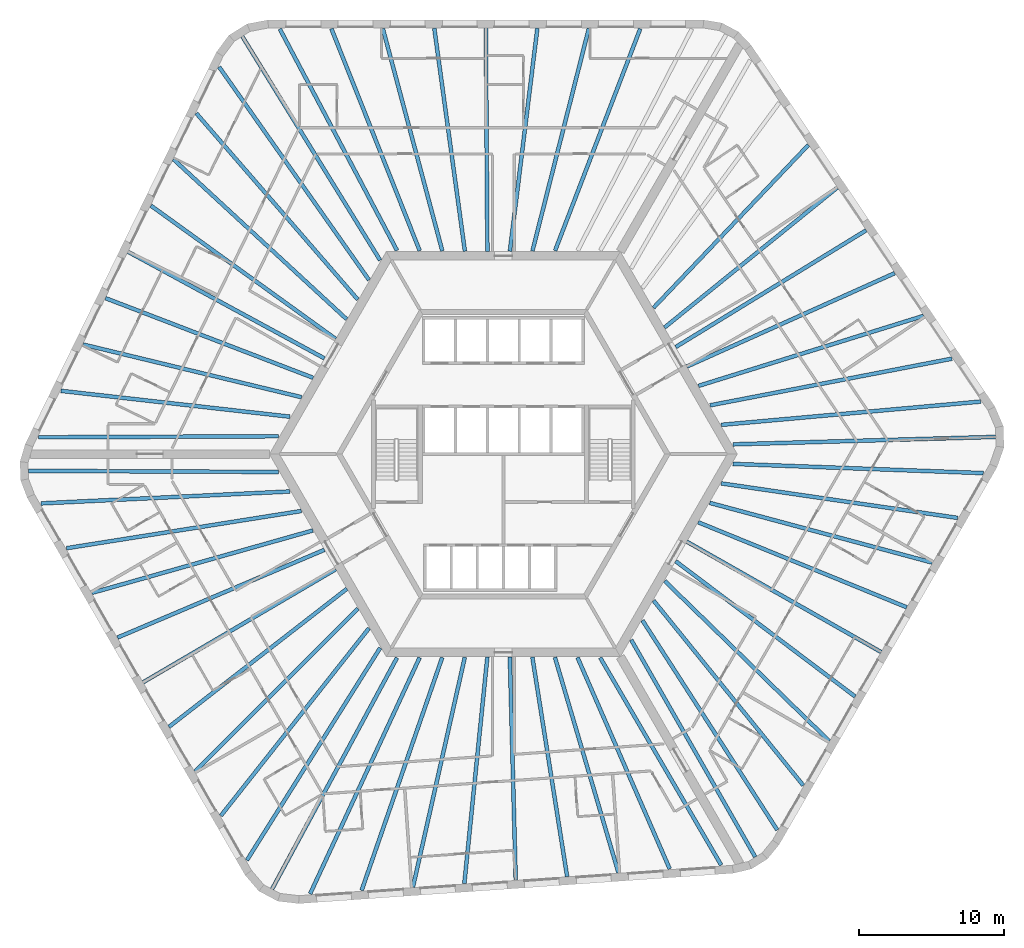
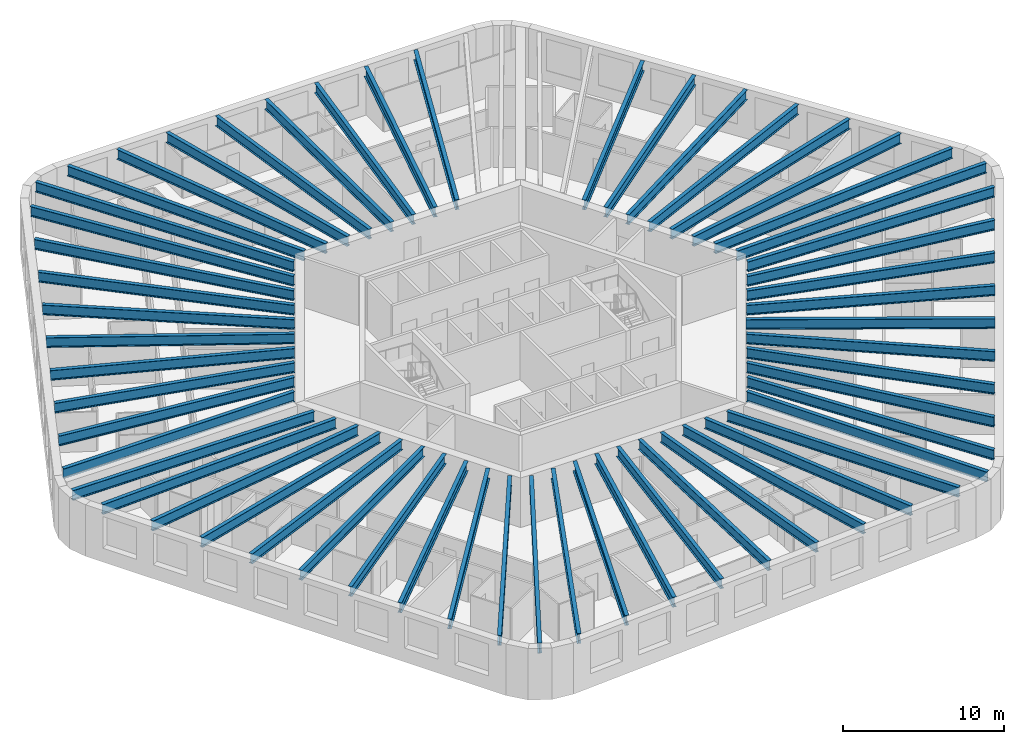
# One storey, part 1 of 12: 56 beams.
"""IFC4 building model written with IfcOpenShell, lengths in metres."""

from ifc_helpers import new_model, si_unit, direction, frame, origin, origin_2d, place, context, subcontext, project, spatial, i_section, extrude, material, material_profile, profile_set, type_object, element, save


model = new_model("IFC4")

# Units and contexts
model_context = context("Model", 3, precision=1e-05, world=origin(), true_north=direction((0.0, 1.0)))
body_context = subcontext(model_context, "Body", "Model", "MODEL_VIEW")
ifc_project = project(units=[si_unit("LENGTHUNIT", "METRE"), si_unit("AREAUNIT", "SQUARE_METRE"), si_unit("VOLUMEUNIT", "CUBIC_METRE"), si_unit("PLANEANGLEUNIT", "RADIAN"), si_unit("MASSUNIT", "GRAM", prefix="KILO")], contexts=[model_context])

# Site, building, storey
site_placement = place(None, origin())
site = spatial("IfcSite", under=ifc_project, at=site_placement, CompositionType="ELEMENT")
building_placement = place(site_placement, origin())
building = spatial("IfcBuilding", under=site, at=building_placement, Name="Tarnside Tower", CompositionType="ELEMENT")
storey_placement = place(building_placement, frame((0.0, 0.0, 57.0)))
storey = spatial("IfcBuildingStorey", under=building, at=storey_placement, Name="L11", CompositionType="ELEMENT", Elevation=57.0)

# Beams
ifc_material = material(Name="Steel S355", Category="steel")
ifc_material_profile_1 = material_profile(ifc_material, i_section(OverallWidth=0.26513671875, OverallDepth=0.75390625, WebThickness=0.0126953125, FlangeThickness=0.017578125, FilletRadius=0.0166015625, at=origin_2d()), Name="UB 762x267x147")
ifc_profile_set_1 = profile_set([ifc_material_profile_1], Name="Steel S355")
beam_type_1 = type_object("IfcBeamType", Name="Floor beam UB 762x267x147", PredefinedType="BEAM", material=ifc_profile_set_1)
beam_1_placement = place(storey_placement, frame((2.3525390625, 29.43017578125, 3.373046875), z_axis=(-0.122329629165, -0.992489527314, 0.0), x_axis=(0.992489527314, -0.122329629165, 0.0)))
element("IfcBeam", 1, at=beam_1_placement, inside=storey, type_object=beam_type_1, Name="Floor beam F1.04", PredefinedType="BEAM", context=body_context, shape_type="SweptSolid", body=[
    extrude(i_section(OverallWidth=0.26513671875, OverallDepth=0.75390625, WebThickness=0.0126953125, FlangeThickness=0.017578125, FilletRadius=0.0166015625, at=origin_2d()), origin(), (0.0, 0.0, 1.0), 15.527099609375),
])
beam_2_placement = place(storey_placement, frame((-1.208984375, 29.449951171875, 3.373046875), z_axis=(0.007000128723, -0.999975498799, 0.0), x_axis=(0.999975498799, 0.007000128723, 0.0)))
element("IfcBeam", 2, at=beam_2_placement, inside=storey, type_object=beam_type_1, Name="Floor beam F1.05", PredefinedType="BEAM", context=body_context, shape_type="SweptSolid", body=[
    extrude(i_section(OverallWidth=0.26513671875, OverallDepth=0.75390625, WebThickness=0.0126953125, FlangeThickness=0.017578125, FilletRadius=0.0166015625, at=origin_2d()), origin(), (0.0, 0.0, 1.0), 15.450439453125),
])
beam_3_placement = place(storey_placement, frame((-4.7705078125, 29.43017578125, 3.373046875), z_axis=(0.136000560933, -0.990708760144, 0.0), x_axis=(0.990708760144, 0.136000560933, 0.0)))
element("IfcBeam", 3, at=beam_3_placement, inside=storey, type_object=beam_type_1, Name="Floor beam F1.06", PredefinedType="BEAM", context=body_context, shape_type="SweptSolid", body=[
    extrude(i_section(OverallWidth=0.26513671875, OverallDepth=0.75390625, WebThickness=0.0126953125, FlangeThickness=0.017578125, FilletRadius=0.0166015625, at=origin_2d()), origin(), (0.0, 0.0, 1.0), 15.554931640625),
])
beam_4_placement = place(storey_placement, frame((-24.348876953125, 17.168212890625, 3.373046875), z_axis=(0.811027744825, -0.585007689799, 0.0), x_axis=(0.585007689799, 0.811027744825, 0.0)))
element("IfcBeam", 4, at=beam_4_placement, inside=storey, type_object=beam_type_1, Name="Floor beam F2.04", PredefinedType="BEAM", context=body_context, shape_type="SweptSolid", body=[
    extrude(i_section(OverallWidth=0.26513671875, OverallDepth=0.75390625, WebThickness=0.0126953125, FlangeThickness=0.017578125, FilletRadius=0.0166015625, at=origin_2d()), origin(), (0.0, 0.0, 1.0), 15.731689453125),
])
beam_5_placement = place(storey_placement, frame((-25.92626953125, 13.978271484375, 3.373046875), z_axis=(0.878894567679, -0.477016078245, 0.0), x_axis=(0.477016078245, 0.878894567679, 0.0)))
element("IfcBeam", 5, at=beam_5_placement, inside=storey, type_object=beam_type_1, Name="Floor beam F2.05", PredefinedType="BEAM", context=body_context, shape_type="SweptSolid", body=[
    extrude(i_section(OverallWidth=0.26513671875, OverallDepth=0.75390625, WebThickness=0.0126953125, FlangeThickness=0.017578125, FilletRadius=0.0166015625, at=origin_2d()), origin(), (0.0, 0.0, 1.0), 15.427490234375),
])
beam_6_placement = place(storey_placement, frame((-27.487548828125, 10.77734375, 3.373046875), z_axis=(0.933617702452, -0.358270827264, 0.0), x_axis=(0.358270827264, 0.933617702452, 0.0)))
element("IfcBeam", 6, at=beam_6_placement, inside=storey, type_object=beam_type_1, Name="Floor beam F2.06", PredefinedType="BEAM", context=body_context, shape_type="SweptSolid", body=[
    extrude(i_section(OverallWidth=0.26513671875, OverallDepth=0.75390625, WebThickness=0.0126953125, FlangeThickness=0.017578125, FilletRadius=0.0166015625, at=origin_2d()), origin(), (0.0, 0.0, 1.0), 15.363037109375),
])
beam_7_placement = place(storey_placement, frame((-29.029296875, 7.572509765625, 3.373046875), z_axis=(0.972101750991, -0.234559556873, 0.0), x_axis=(0.234559556873, 0.972101750991, 0.0)))
element("IfcBeam", 7, at=beam_7_placement, inside=storey, type_object=beam_type_1, Name="Floor beam F2.07", PredefinedType="BEAM", context=body_context, shape_type="SweptSolid", body=[
    extrude(i_section(OverallWidth=0.26513671875, OverallDepth=0.75390625, WebThickness=0.0126953125, FlangeThickness=0.017578125, FilletRadius=0.0166015625, at=origin_2d()), origin(), (0.0, 0.0, 1.0), 15.522216796875),
])
beam_8_placement = place(storey_placement, frame((-26.66357421875, -12.677734375, 3.373046875), z_axis=(0.920684021494, 0.390308765679, 0.0), x_axis=(-0.390308765679, 0.920684021494, 0.0)))
element("IfcBeam", 8, at=beam_8_placement, inside=storey, type_object=beam_type_1, Name="Floor beam F3.04", PredefinedType="BEAM", context=body_context, shape_type="SweptSolid", body=[
    extrude(i_section(OverallWidth=0.26513671875, OverallDepth=0.75390625, WebThickness=0.0126953125, FlangeThickness=0.017578125, FilletRadius=0.0166015625, at=origin_2d()), origin(), (0.0, 0.0, 1.0), 15.52685546875),
])
beam_9_placement = place(storey_placement, frame((-24.89990234375, -15.772216796875, 3.373046875), z_axis=(0.862497502004, 0.506061319443, 0.0), x_axis=(-0.506061319443, 0.862497502004, 0.0)))
element("IfcBeam", 9, at=beam_9_placement, inside=storey, type_object=beam_type_1, Name="Floor beam F3.05", PredefinedType="BEAM", context=body_context, shape_type="SweptSolid", body=[
    extrude(i_section(OverallWidth=0.26513671875, OverallDepth=0.75390625, WebThickness=0.0126953125, FlangeThickness=0.017578125, FilletRadius=0.0166015625, at=origin_2d()), origin(), (0.0, 0.0, 1.0), 15.450439453125),
])
beam_10_placement = place(storey_placement, frame((-23.10205078125, -18.846435546875, 3.373046875), z_axis=(0.789983963813, 0.613127504617, 0.0), x_axis=(-0.613127504617, 0.789983963813, 0.0)))
element("IfcBeam", 10, at=beam_10_placement, inside=storey, type_object=beam_type_1, Name="Floor beam F3.06", PredefinedType="BEAM", context=body_context, shape_type="SweptSolid", body=[
    extrude(i_section(OverallWidth=0.26513671875, OverallDepth=0.75390625, WebThickness=0.0126953125, FlangeThickness=0.017578125, FilletRadius=0.0166015625, at=origin_2d()), origin(), (0.0, 0.0, 1.0), 15.554931640625),
])
beam_11_placement = place(storey_placement, frame((-2.693603515625, -29.6708984375, 3.373046875), z_axis=(0.101123115756, 0.994873919379, 0.0), x_axis=(-0.994873919379, 0.101123115756, 0.0)))
element("IfcBeam", 11, at=beam_11_placement, inside=storey, type_object=beam_type_1, Name="Floor beam F4.04", PredefinedType="BEAM", context=body_context, shape_type="SweptSolid", body=[
    extrude(i_section(OverallWidth=0.26513671875, OverallDepth=0.75390625, WebThickness=0.0126953125, FlangeThickness=0.017578125, FilletRadius=0.0166015625, at=origin_2d()), origin(), (0.0, 0.0, 1.0), 15.7314453125),
])
beam_12_placement = place(storey_placement, frame((0.857666015625, -29.44189453125, 3.373046875), z_axis=(-0.026333316788, 0.999653218085, 0.0), x_axis=(-0.999653218085, -0.026333316788, 0.0)))
element("IfcBeam", 12, at=beam_12_placement, inside=storey, type_object=beam_type_1, Name="Floor beam F4.05", PredefinedType="BEAM", context=body_context, shape_type="SweptSolid", body=[
    extrude(i_section(OverallWidth=0.26513671875, OverallDepth=0.75390625, WebThickness=0.0126953125, FlangeThickness=0.017578125, FilletRadius=0.0166015625, at=origin_2d()), origin(), (0.0, 0.0, 1.0), 15.42724609375),
])
beam_13_placement = place(storey_placement, frame((4.41015625, -29.193603515625, 3.373046875), z_axis=(-0.156513375907, 0.98767583911, 0.0), x_axis=(-0.98767583911, -0.156513375907, 0.0)))
element("IfcBeam", 13, at=beam_13_placement, inside=storey, type_object=beam_type_1, Name="Floor beam F4.06", PredefinedType="BEAM", context=body_context, shape_type="SweptSolid", body=[
    extrude(i_section(OverallWidth=0.26513671875, OverallDepth=0.75390625, WebThickness=0.0126953125, FlangeThickness=0.017578125, FilletRadius=0.0166015625, at=origin_2d()), origin(), (0.0, 0.0, 1.0), 15.36328125),
])
beam_14_placement = place(storey_placement, frame((7.956787109375, -28.926513671875, 3.373046875), z_axis=(-0.282920694328, 0.959143305623, 0.0), x_axis=(-0.959143305623, -0.282920694328, 0.0)))
element("IfcBeam", 14, at=beam_14_placement, inside=storey, type_object=beam_type_1, Name="Floor beam F4.07", PredefinedType="BEAM", context=body_context, shape_type="SweptSolid", body=[
    extrude(i_section(OverallWidth=0.26513671875, OverallDepth=0.75390625, WebThickness=0.0126953125, FlangeThickness=0.017578125, FilletRadius=0.0166015625, at=origin_2d()), origin(), (0.0, 0.0, 1.0), 15.5224609375),
])
beam_15_placement = place(storey_placement, frame((24.31103515625, -16.75244140625, 3.373046875), z_axis=(-0.798361152727, 0.602178935049, 0.0), x_axis=(-0.602178935049, -0.798361152727, 0.0)))
element("IfcBeam", 15, at=beam_15_placement, inside=storey, type_object=beam_type_1, Name="Floor beam F5.04", PredefinedType="BEAM", context=body_context, shape_type="SweptSolid", body=[
    extrude(i_section(OverallWidth=0.26513671875, OverallDepth=0.75390625, WebThickness=0.0126953125, FlangeThickness=0.017578125, FilletRadius=0.0166015625, at=origin_2d()), origin(), (0.0, 0.0, 1.0), 15.527099609375),
])
beam_16_placement = place(storey_placement, frame((26.10888671875, -13.677978515625, 3.373046875), z_axis=(-0.869502520992, 0.493928502911, 0.0), x_axis=(-0.493928502911, -0.869502520992, 0.0)))
element("IfcBeam", 16, at=beam_16_placement, inside=storey, type_object=beam_type_1, Name="Floor beam F5.05", PredefinedType="BEAM", context=body_context, shape_type="SweptSolid", body=[
    extrude(i_section(OverallWidth=0.26513671875, OverallDepth=0.75390625, WebThickness=0.0126953125, FlangeThickness=0.017578125, FilletRadius=0.0166015625, at=origin_2d()), origin(), (0.0, 0.0, 1.0), 15.4501953125),
])
beam_17_placement = place(storey_placement, frame((27.87255859375, -10.58349609375, 3.373046875), z_axis=(-0.925981621163, 0.377568586177, 0.0), x_axis=(-0.377568586177, -0.925981621163, 0.0)))
element("IfcBeam", 17, at=beam_17_placement, inside=storey, type_object=beam_type_1, Name="Floor beam F5.06", PredefinedType="BEAM", context=body_context, shape_type="SweptSolid", body=[
    extrude(i_section(OverallWidth=0.26513671875, OverallDepth=0.75390625, WebThickness=0.0126953125, FlangeThickness=0.017578125, FilletRadius=0.0166015625, at=origin_2d()), origin(), (0.0, 0.0, 1.0), 15.554931640625),
])
beam_18_placement = place(storey_placement, frame((27.04248046875, 12.502685546875, 3.373046875), z_axis=(-0.912146413919, -0.409864513681, 0.0), x_axis=(0.409864513681, -0.912146413919, 0.0)))
element("IfcBeam", 18, at=beam_18_placement, inside=storey, type_object=beam_type_1, Name="Floor beam F6.04", PredefinedType="BEAM", context=body_context, shape_type="SweptSolid", body=[
    extrude(i_section(OverallWidth=0.26513671875, OverallDepth=0.75390625, WebThickness=0.0126953125, FlangeThickness=0.017578125, FilletRadius=0.0166015625, at=origin_2d()), origin(), (0.0, 0.0, 1.0), 15.7314453125),
])
beam_19_placement = place(storey_placement, frame((25.068603515625, 15.463623046875, 3.373046875), z_axis=(-0.852558490017, -0.522631821744, 0.0), x_axis=(0.522631821744, -0.852558490017, 0.0)))
element("IfcBeam", 19, at=beam_19_placement, inside=storey, type_object=beam_type_1, Name="Floor beam F6.05", PredefinedType="BEAM", context=body_context, shape_type="SweptSolid", body=[
    extrude(i_section(OverallWidth=0.26513671875, OverallDepth=0.75390625, WebThickness=0.0126953125, FlangeThickness=0.017578125, FilletRadius=0.0166015625, at=origin_2d()), origin(), (0.0, 0.0, 1.0), 15.42724609375),
])
beam_20_placement = place(storey_placement, frame((23.0771484375, 18.416259765625, 3.373046875), z_axis=(-0.777079423039, -0.629402550272, 0.0), x_axis=(0.629402550272, -0.777079423039, 0.0)))
element("IfcBeam", 20, at=beam_20_placement, inside=storey, type_object=beam_type_1, Name="Floor beam F6.06", PredefinedType="BEAM", context=body_context, shape_type="SweptSolid", body=[
    extrude(i_section(OverallWidth=0.26513671875, OverallDepth=0.75390625, WebThickness=0.0126953125, FlangeThickness=0.017578125, FilletRadius=0.0166015625, at=origin_2d()), origin(), (0.0, 0.0, 1.0), 15.36328125),
])
beam_21_placement = place(storey_placement, frame((21.072509765625, 21.35400390625, 3.373046875), z_axis=(-0.689174694318, -0.724595225427, 0.0), x_axis=(0.724595225427, -0.689174694318, 0.0)))
element("IfcBeam", 21, at=beam_21_placement, inside=storey, type_object=beam_type_1, Name="Floor beam F6.07", PredefinedType="BEAM", context=body_context, shape_type="SweptSolid", body=[
    extrude(i_section(OverallWidth=0.26513671875, OverallDepth=0.75390625, WebThickness=0.0126953125, FlangeThickness=0.017578125, FilletRadius=0.0166015625, at=origin_2d()), origin(), (0.0, 0.0, 1.0), 15.522216796875),
])
ifc_material_profile_2 = material_profile(ifc_material, i_section(OverallWidth=0.2666015625, OverallDepth=0.76220703125, WebThickness=0.014404296875, FlangeThickness=0.021484375, FilletRadius=0.0166015625, at=origin_2d()), Name="UB 762x267x173")
ifc_profile_set_2 = profile_set([ifc_material_profile_2], Name="Steel S355")
beam_type_2 = type_object("IfcBeamType", Name="Floor beam UB 762x267x173", PredefinedType="BEAM", material=ifc_profile_set_2)
beam_22_placement = place(storey_placement, frame((9.4619140625, 29.39404296875, 3.368896484375), z_axis=(-0.358299847269, -0.933606565662, 0.0), x_axis=(0.933606565662, -0.358299847269, 0.0)))
element("IfcBeam", 22, at=beam_22_placement, inside=storey, type_object=beam_type_2, Name="Floor beam F1.02", PredefinedType="BEAM", context=body_context, shape_type="SweptSolid", body=[
    extrude(i_section(OverallWidth=0.2666015625, OverallDepth=0.76220703125, WebThickness=0.014404296875, FlangeThickness=0.021484375, FilletRadius=0.0166015625, at=origin_2d()), origin(), (0.0, 0.0, 1.0), 16.428955078125),
])
beam_23_placement = place(storey_placement, frame((5.909423828125, 29.4111328125, 3.368896484375), z_axis=(-0.245747281389, -0.969333933013, 0.0), x_axis=(0.969333933013, -0.245747281389, 0.0)))
element("IfcBeam", 23, at=beam_23_placement, inside=storey, type_object=beam_type_2, Name="Floor beam F1.03", PredefinedType="BEAM", context=body_context, shape_type="SweptSolid", body=[
    extrude(i_section(OverallWidth=0.2666015625, OverallDepth=0.76220703125, WebThickness=0.014404296875, FlangeThickness=0.021484375, FilletRadius=0.0166015625, at=origin_2d()), origin(), (0.0, 0.0, 1.0), 15.858642578125),
])
beam_24_placement = place(storey_placement, frame((-8.3271484375, 29.411376953125, 3.368896484375), z_axis=(0.258447478572, -0.966025310652, 0.0), x_axis=(0.966025310652, 0.258447478572, 0.0)))
element("IfcBeam", 24, at=beam_24_placement, inside=storey, type_object=beam_type_2, Name="Floor beam F1.07", PredefinedType="BEAM", context=body_context, shape_type="SweptSolid", body=[
    extrude(i_section(OverallWidth=0.2666015625, OverallDepth=0.76220703125, WebThickness=0.014404296875, FlangeThickness=0.021484375, FilletRadius=0.0166015625, at=origin_2d()), origin(), (0.0, 0.0, 1.0), 15.91357421875),
])
beam_25_placement = place(storey_placement, frame((-11.87939453125, 29.394287109375, 3.368896484375), z_axis=(0.369638204477, -0.929175762593, 0.0), x_axis=(0.929175762593, 0.369638204477, 0.0)))
element("IfcBeam", 25, at=beam_25_placement, inside=storey, type_object=beam_type_2, Name="Floor beam F1.08", PredefinedType="BEAM", context=body_context, shape_type="SweptSolid", body=[
    extrude(i_section(OverallWidth=0.2666015625, OverallDepth=0.76220703125, WebThickness=0.014404296875, FlangeThickness=0.021484375, FilletRadius=0.0166015625, at=origin_2d()), origin(), (0.0, 0.0, 1.0), 16.507568359375),
])
beam_26_placement = place(storey_placement, frame((-15.44580078125, 29.37939453125, 3.368896484375), z_axis=(0.467741993634, -0.883865050441, 0.0), x_axis=(0.883865050441, 0.467741993634, 0.0)))
element("IfcBeam", 26, at=beam_26_placement, inside=storey, type_object=beam_type_2, Name="Floor beam F1.09", PredefinedType="BEAM", context=body_context, shape_type="SweptSolid", body=[
    extrude(i_section(OverallWidth=0.2666015625, OverallDepth=0.76220703125, WebThickness=0.014404296875, FlangeThickness=0.021484375, FilletRadius=0.0166015625, at=origin_2d()), origin(), (0.0, 0.0, 1.0), 17.320068359375),
])
beam_27_placement = place(storey_placement, frame((-18.042236328125, 28.8701171875, 3.368896484375), z_axis=(0.524382977035, -0.851482526771, 0.0), x_axis=(0.851482526771, 0.524382977035, 0.0)))
element("IfcBeam", 27, at=beam_27_placement, inside=storey, type_object=beam_type_2, Name="Floor beam C1", PredefinedType="BEAM", context=body_context, shape_type="SweptSolid", body=[
    extrude(i_section(OverallWidth=0.2666015625, OverallDepth=0.76220703125, WebThickness=0.014404296875, FlangeThickness=0.021484375, FilletRadius=0.0166015625, at=origin_2d()), origin(), (0.0, 0.0, 1.0), 18.1728515625),
])
beam_28_placement = place(storey_placement, frame((-19.638671875, 26.75537109375, 3.368896484375), z_axis=(0.575411427849, -0.817864101609, 0.0), x_axis=(0.817864101609, 0.575411427849, 0.0)))
element("IfcBeam", 28, at=beam_28_placement, inside=storey, type_object=beam_type_2, Name="Floor beam F2.01", PredefinedType="BEAM", context=body_context, shape_type="SweptSolid", body=[
    extrude(i_section(OverallWidth=0.2666015625, OverallDepth=0.76220703125, WebThickness=0.014404296875, FlangeThickness=0.021484375, FilletRadius=0.0166015625, at=origin_2d()), origin(), (0.0, 0.0, 1.0), 18.00048828125),
])
beam_29_placement = place(storey_placement, frame((-21.21630859375, 23.554931640625, 3.368896484375), z_axis=(0.654980748073, -0.755645564834, 0.0), x_axis=(0.755645564834, 0.654980748073, 0.0)))
element("IfcBeam", 29, at=beam_29_placement, inside=storey, type_object=beam_type_2, Name="Floor beam F2.02", PredefinedType="BEAM", context=body_context, shape_type="SweptSolid", body=[
    extrude(i_section(OverallWidth=0.2666015625, OverallDepth=0.76220703125, WebThickness=0.014404296875, FlangeThickness=0.021484375, FilletRadius=0.0166015625, at=origin_2d()), origin(), (0.0, 0.0, 1.0), 17.0302734375),
])
beam_30_placement = place(storey_placement, frame((-22.7890625, 20.368408203125, 3.368896484375), z_axis=(0.734715474517, -0.678375391288, 0.0), x_axis=(0.678375391288, 0.734715474517, 0.0)))
element("IfcBeam", 30, at=beam_30_placement, inside=storey, type_object=beam_type_2, Name="Floor beam F2.03", PredefinedType="BEAM", context=body_context, shape_type="SweptSolid", body=[
    extrude(i_section(OverallWidth=0.2666015625, OverallDepth=0.76220703125, WebThickness=0.014404296875, FlangeThickness=0.021484375, FilletRadius=0.0166015625, at=origin_2d()), origin(), (0.0, 0.0, 1.0), 16.2802734375),
])
beam_31_placement = place(storey_placement, frame((-30.570556640625, 4.372802734375, 3.368896484375), z_axis=(0.993687302776, -0.112185312326, 0.0), x_axis=(0.112185312326, 0.993687302776, 0.0)))
element("IfcBeam", 31, at=beam_31_placement, inside=storey, type_object=beam_type_2, Name="Floor beam F2.08", PredefinedType="BEAM", context=body_context, shape_type="SweptSolid", body=[
    extrude(i_section(OverallWidth=0.2666015625, OverallDepth=0.76220703125, WebThickness=0.014404296875, FlangeThickness=0.021484375, FilletRadius=0.0166015625, at=origin_2d()), origin(), (0.0, 0.0, 1.0), 15.934326171875),
])
beam_32_placement = place(storey_placement, frame((-32.119384765625, 1.162109375, 3.368896484375), z_axis=(0.999990508787, 0.004356872304, 0.0), x_axis=(-0.004356872304, 0.999990508787, 0.0)))
element("IfcBeam", 32, at=beam_32_placement, inside=storey, type_object=beam_type_2, Name="Floor beam F2.09", PredefinedType="BEAM", context=body_context, shape_type="SweptSolid", body=[
    extrude(i_section(OverallWidth=0.2666015625, OverallDepth=0.76220703125, WebThickness=0.014404296875, FlangeThickness=0.021484375, FilletRadius=0.0166015625, at=origin_2d()), origin(), (0.0, 0.0, 1.0), 16.586669921875),
])
beam_33_placement = place(storey_placement, frame((-32.80712890625, -1.1572265625, 3.368896484375), z_axis=(0.999990027056, -0.004466070929, 0.0), x_axis=(0.004466070929, 0.999990027056, 0.0)))
element("IfcBeam", 33, at=beam_33_placement, inside=storey, type_object=beam_type_2, Name="Floor beam C2", PredefinedType="BEAM", context=body_context, shape_type="SweptSolid", body=[
    extrude(i_section(OverallWidth=0.2666015625, OverallDepth=0.76220703125, WebThickness=0.014404296875, FlangeThickness=0.021484375, FilletRadius=0.0166015625, at=origin_2d()), origin(), (0.0, 0.0, 1.0), 17.2744140625),
])
beam_34_placement = place(storey_placement, frame((-31.95703125, -3.406494140625, 3.368896484375), z_axis=(0.998853818522, 0.047864905982, 0.0), x_axis=(-0.047864905982, 0.998853818522, 0.0)))
element("IfcBeam", 34, at=beam_34_placement, inside=storey, type_object=beam_type_2, Name="Floor beam F3.01", PredefinedType="BEAM", context=body_context, shape_type="SweptSolid", body=[
    extrude(i_section(OverallWidth=0.2666015625, OverallDepth=0.76220703125, WebThickness=0.014404296875, FlangeThickness=0.021484375, FilletRadius=0.0166015625, at=origin_2d()), origin(), (0.0, 0.0, 1.0), 17.2197265625),
])
beam_35_placement = place(storey_placement, frame((-30.18701171875, -6.502685546875, 3.368896484375), z_axis=(0.987678477078, 0.156496728136, 0.0), x_axis=(-0.156496728136, 0.987678477078, 0.0)))
element("IfcBeam", 35, at=beam_35_placement, inside=storey, type_object=beam_type_2, Name="Floor beam F3.02", PredefinedType="BEAM", context=body_context, shape_type="SweptSolid", body=[
    extrude(i_section(OverallWidth=0.2666015625, OverallDepth=0.76220703125, WebThickness=0.014404296875, FlangeThickness=0.021484375, FilletRadius=0.0166015625, at=origin_2d()), origin(), (0.0, 0.0, 1.0), 16.4287109375),
])
beam_36_placement = place(storey_placement, frame((-28.425537109375, -9.587890625, 3.368896484375), z_axis=(0.962342240503, 0.271840784547, 0.0), x_axis=(-0.271840784547, 0.962342240503, 0.0)))
element("IfcBeam", 36, at=beam_36_placement, inside=storey, type_object=beam_type_2, Name="Floor beam F3.03", PredefinedType="BEAM", context=body_context, shape_type="SweptSolid", body=[
    extrude(i_section(OverallWidth=0.2666015625, OverallDepth=0.76220703125, WebThickness=0.014404296875, FlangeThickness=0.021484375, FilletRadius=0.0166015625, at=origin_2d()), origin(), (0.0, 0.0, 1.0), 15.858642578125),
])
beam_37_placement = place(storey_placement, frame((-21.307373046875, -21.917236328125, 3.368896484375), z_axis=(0.707367544857, 0.706845921318, 0.0), x_axis=(-0.706845921318, 0.707367544857, 0.0)))
element("IfcBeam", 37, at=beam_37_placement, inside=storey, type_object=beam_type_2, Name="Floor beam F3.07", PredefinedType="BEAM", context=body_context, shape_type="SweptSolid", body=[
    extrude(i_section(OverallWidth=0.2666015625, OverallDepth=0.76220703125, WebThickness=0.014404296875, FlangeThickness=0.021484375, FilletRadius=0.0166015625, at=origin_2d()), origin(), (0.0, 0.0, 1.0), 15.913330078125),
])
beam_38_placement = place(storey_placement, frame((-19.516357421875, -24.985107421875, 3.368896484375), z_axis=(0.619872995007, 0.784702153725, 0.0), x_axis=(-0.784702153725, 0.619872995007, 0.0)))
element("IfcBeam", 38, at=beam_38_placement, inside=storey, type_object=beam_type_2, Name="Floor beam F3.08", PredefinedType="BEAM", context=body_context, shape_type="SweptSolid", body=[
    extrude(i_section(OverallWidth=0.2666015625, OverallDepth=0.76220703125, WebThickness=0.014404296875, FlangeThickness=0.021484375, FilletRadius=0.0166015625, at=origin_2d()), origin(), (0.0, 0.0, 1.0), 16.507568359375),
])
beam_39_placement = place(storey_placement, frame((-17.72021484375, -28.066162109375, 3.368896484375), z_axis=(0.531583085704, 0.847006152866, 0.0), x_axis=(-0.847006152866, 0.531583085704, 0.0)))
element("IfcBeam", 39, at=beam_39_placement, inside=storey, type_object=beam_type_2, Name="Floor beam F3.09", PredefinedType="BEAM", context=body_context, shape_type="SweptSolid", body=[
    extrude(i_section(OverallWidth=0.2666015625, OverallDepth=0.76220703125, WebThickness=0.014404296875, FlangeThickness=0.021484375, FilletRadius=0.0166015625, at=origin_2d()), origin(), (0.0, 0.0, 1.0), 17.320068359375),
])
beam_40_placement = place(storey_placement, frame((-15.981201171875, -30.060302734375, 3.368896484375), z_axis=(0.475208200571, 0.879873380726, 0.0), x_axis=(-0.879873380726, 0.475208200571, 0.0)))
element("IfcBeam", 40, at=beam_40_placement, inside=storey, type_object=beam_type_2, Name="Floor beam C3", PredefinedType="BEAM", context=body_context, shape_type="SweptSolid", body=[
    extrude(i_section(OverallWidth=0.2666015625, OverallDepth=0.76220703125, WebThickness=0.014404296875, FlangeThickness=0.021484375, FilletRadius=0.0166015625, at=origin_2d()), origin(), (0.0, 0.0, 1.0), 18.173095703125),
])
beam_41_placement = place(storey_placement, frame((-13.3515625, -30.38525390625, 3.368896484375), z_axis=(0.42059199668, 0.907249895193, 0.0), x_axis=(-0.907249895193, 0.42059199668, 0.0)))
element("IfcBeam", 41, at=beam_41_placement, inside=storey, type_object=beam_type_2, Name="Floor beam F4.01", PredefinedType="BEAM", context=body_context, shape_type="SweptSolid", body=[
    extrude(i_section(OverallWidth=0.2666015625, OverallDepth=0.76220703125, WebThickness=0.014404296875, FlangeThickness=0.021484375, FilletRadius=0.0166015625, at=origin_2d()), origin(), (0.0, 0.0, 1.0), 18.000244140625),
])
beam_42_placement = place(storey_placement, frame((-9.791015625, -30.151123046875, 3.368896484375), z_axis=(0.326912128872, 0.945054739153, 0.0), x_axis=(-0.945054739153, 0.326912128872, 0.0)))
element("IfcBeam", 42, at=beam_42_placement, inside=storey, type_object=beam_type_2, Name="Floor beam F4.02", PredefinedType="BEAM", context=body_context, shape_type="SweptSolid", body=[
    extrude(i_section(OverallWidth=0.2666015625, OverallDepth=0.76220703125, WebThickness=0.014404296875, FlangeThickness=0.021484375, FilletRadius=0.0166015625, at=origin_2d()), origin(), (0.0, 0.0, 1.0), 17.0302734375),
])
beam_43_placement = place(storey_placement, frame((-6.2451171875, -29.920166015625, 3.368896484375), z_axis=(0.220139818673, 0.975468328668, 0.0), x_axis=(-0.975468328668, 0.220139818673, 0.0)))
element("IfcBeam", 43, at=beam_43_placement, inside=storey, type_object=beam_type_2, Name="Floor beam F4.03", PredefinedType="BEAM", context=body_context, shape_type="SweptSolid", body=[
    extrude(i_section(OverallWidth=0.2666015625, OverallDepth=0.76220703125, WebThickness=0.014404296875, FlangeThickness=0.021484375, FilletRadius=0.0166015625, at=origin_2d()), origin(), (0.0, 0.0, 1.0), 16.280517578125),
])
beam_44_placement = place(storey_placement, frame((11.498291015625, -28.6611328125, 3.368896484375), z_axis=(-0.399695682658, 0.916647893831, 0.0), x_axis=(-0.916647893831, -0.399695682658, 0.0)))
element("IfcBeam", 44, at=beam_44_placement, inside=storey, type_object=beam_type_2, Name="Floor beam F4.08", PredefinedType="BEAM", context=body_context, shape_type="SweptSolid", body=[
    extrude(i_section(OverallWidth=0.2666015625, OverallDepth=0.76220703125, WebThickness=0.014404296875, FlangeThickness=0.021484375, FilletRadius=0.0166015625, at=origin_2d()), origin(), (0.0, 0.0, 1.0), 15.934326171875),
])
beam_45_placement = place(storey_placement, frame((15.05322265625, -28.3974609375, 3.368896484375), z_axis=(-0.503758455062, 0.86384455717, 0.0), x_axis=(-0.86384455717, -0.503758455062, 0.0)))
element("IfcBeam", 45, at=beam_45_placement, inside=storey, type_object=beam_type_2, Name="Floor beam F4.09", PredefinedType="BEAM", context=body_context, shape_type="SweptSolid", body=[
    extrude(i_section(OverallWidth=0.2666015625, OverallDepth=0.76220703125, WebThickness=0.014404296875, FlangeThickness=0.021484375, FilletRadius=0.0166015625, at=origin_2d()), origin(), (0.0, 0.0, 1.0), 16.586669921875),
])
beam_46_placement = place(storey_placement, frame((17.40576171875, -27.833251953125, 3.368896484375), z_axis=(-0.496126762138, 0.868250099851, 0.0), x_axis=(-0.868250099851, -0.496126762138, 0.0)))
element("IfcBeam", 46, at=beam_46_placement, inside=storey, type_object=beam_type_2, Name="Floor beam C4", PredefinedType="BEAM", context=body_context, shape_type="SweptSolid", body=[
    extrude(i_section(OverallWidth=0.2666015625, OverallDepth=0.76220703125, WebThickness=0.014404296875, FlangeThickness=0.021484375, FilletRadius=0.0166015625, at=origin_2d()), origin(), (0.0, 0.0, 1.0), 17.2744140625),
])
beam_47_placement = place(storey_placement, frame((18.9287109375, -25.972412109375, 3.368896484375), z_axis=(-0.540872954463, 0.841104302171, 0.0), x_axis=(-0.841104302171, -0.540872954463, 0.0)))
element("IfcBeam", 47, at=beam_47_placement, inside=storey, type_object=beam_type_2, Name="Floor beam F5.01", PredefinedType="BEAM", context=body_context, shape_type="SweptSolid", body=[
    extrude(i_section(OverallWidth=0.2666015625, OverallDepth=0.76220703125, WebThickness=0.014404296875, FlangeThickness=0.021484375, FilletRadius=0.0166015625, at=origin_2d()), origin(), (0.0, 0.0, 1.0), 17.2197265625),
])
beam_48_placement = place(storey_placement, frame((20.72509765625, -22.89111328125, 3.368896484375), z_axis=(-0.62939015525, 0.777089462336, 0.0), x_axis=(-0.777089462336, -0.62939015525, 0.0)))
element("IfcBeam", 48, at=beam_48_placement, inside=storey, type_object=beam_type_2, Name="Floor beam F5.02", PredefinedType="BEAM", context=body_context, shape_type="SweptSolid", body=[
    extrude(i_section(OverallWidth=0.2666015625, OverallDepth=0.76220703125, WebThickness=0.014404296875, FlangeThickness=0.021484375, FilletRadius=0.0166015625, at=origin_2d()), origin(), (0.0, 0.0, 1.0), 16.4287109375),
])
beam_49_placement = place(storey_placement, frame((22.51611328125, -19.8232421875, 3.368896484375), z_axis=(-0.716594696052, 0.697489814686, 0.0), x_axis=(-0.697489814686, -0.716594696052, 0.0)))
element("IfcBeam", 49, at=beam_49_placement, inside=storey, type_object=beam_type_2, Name="Floor beam F5.03", PredefinedType="BEAM", context=body_context, shape_type="SweptSolid", body=[
    extrude(i_section(OverallWidth=0.2666015625, OverallDepth=0.76220703125, WebThickness=0.014404296875, FlangeThickness=0.021484375, FilletRadius=0.0166015625, at=origin_2d()), origin(), (0.0, 0.0, 1.0), 15.858642578125),
])
beam_50_placement = place(storey_placement, frame((29.634521484375, -7.494140625, 3.368896484375), z_axis=(-0.965827851395, 0.259184415946, 0.0), x_axis=(-0.259184415946, -0.965827851395, 0.0)))
element("IfcBeam", 50, at=beam_50_placement, inside=storey, type_object=beam_type_2, Name="Floor beam F5.07", PredefinedType="BEAM", context=body_context, shape_type="SweptSolid", body=[
    extrude(i_section(OverallWidth=0.2666015625, OverallDepth=0.76220703125, WebThickness=0.014404296875, FlangeThickness=0.021484375, FilletRadius=0.0166015625, at=origin_2d()), origin(), (0.0, 0.0, 1.0), 15.913330078125),
])
beam_51_placement = place(storey_placement, frame((31.39599609375, -4.4091796875, 3.368896484375), z_axis=(-0.989507887412, 0.144478859177, 0.0), x_axis=(-0.144478859177, -0.989507887412, 0.0)))
element("IfcBeam", 51, at=beam_51_placement, inside=storey, type_object=beam_type_2, Name="Floor beam F5.08", PredefinedType="BEAM", context=body_context, shape_type="SweptSolid", body=[
    extrude(i_section(OverallWidth=0.2666015625, OverallDepth=0.76220703125, WebThickness=0.014404296875, FlangeThickness=0.021484375, FilletRadius=0.0166015625, at=origin_2d()), origin(), (0.0, 0.0, 1.0), 16.507568359375),
])
beam_52_placement = place(storey_placement, frame((33.166259765625, -1.31298828125, 3.368896484375), z_axis=(-0.999320941149, 0.036846391708, 0.0), x_axis=(-0.036846391708, -0.999320941149, 0.0)))
element("IfcBeam", 52, at=beam_52_placement, inside=storey, type_object=beam_type_2, Name="Floor beam F5.09", PredefinedType="BEAM", context=body_context, shape_type="SweptSolid", body=[
    extrude(i_section(OverallWidth=0.2666015625, OverallDepth=0.76220703125, WebThickness=0.014404296875, FlangeThickness=0.021484375, FilletRadius=0.0166015625, at=origin_2d()), origin(), (0.0, 0.0, 1.0), 17.320068359375),
])
beam_53_placement = place(storey_placement, frame((34.0234375, 1.18994140625, 3.368896484375), z_axis=(-0.999597013499, -0.028386803343, 0.0), x_axis=(0.028386803343, -0.999597013499, 0.0)))
element("IfcBeam", 53, at=beam_53_placement, inside=storey, type_object=beam_type_2, Name="Floor beam C5", PredefinedType="BEAM", context=body_context, shape_type="SweptSolid", body=[
    extrude(i_section(OverallWidth=0.2666015625, OverallDepth=0.76220703125, WebThickness=0.014404296875, FlangeThickness=0.021484375, FilletRadius=0.0166015625, at=origin_2d()), origin(), (0.0, 0.0, 1.0), 18.1728515625),
])
beam_54_placement = place(storey_placement, frame((32.990234375, 3.6298828125, 3.368896484375), z_axis=(-0.995997485142, -0.089381259731, 0.0), x_axis=(0.089381259731, -0.995997485142, 0.0)))
element("IfcBeam", 54, at=beam_54_placement, inside=storey, type_object=beam_type_2, Name="Floor beam F6.01", PredefinedType="BEAM", context=body_context, shape_type="SweptSolid", body=[
    extrude(i_section(OverallWidth=0.2666015625, OverallDepth=0.76220703125, WebThickness=0.014404296875, FlangeThickness=0.021484375, FilletRadius=0.0166015625, at=origin_2d()), origin(), (0.0, 0.0, 1.0), 18.000244140625),
])
beam_55_placement = place(storey_placement, frame((31.007080078125, 6.596435546875, 3.368896484375), z_axis=(-0.981896564922, -0.189417886679, 0.0), x_axis=(0.189417886679, -0.981896564922, 0.0)))
element("IfcBeam", 55, at=beam_55_placement, inside=storey, type_object=beam_type_2, Name="Floor beam F6.02", PredefinedType="BEAM", context=body_context, shape_type="SweptSolid", body=[
    extrude(i_section(OverallWidth=0.2666015625, OverallDepth=0.76220703125, WebThickness=0.014404296875, FlangeThickness=0.021484375, FilletRadius=0.0166015625, at=origin_2d()), origin(), (0.0, 0.0, 1.0), 17.0302734375),
])
beam_56_placement = place(storey_placement, frame((29.0341796875, 9.5517578125, 3.368896484375), z_axis=(-0.954846945108, -0.297098151152, 0.0), x_axis=(0.297098151152, -0.954846945108, 0.0)))
element("IfcBeam", 56, at=beam_56_placement, inside=storey, type_object=beam_type_2, Name="Floor beam F6.03", PredefinedType="BEAM", context=body_context, shape_type="SweptSolid", body=[
    extrude(i_section(OverallWidth=0.2666015625, OverallDepth=0.76220703125, WebThickness=0.014404296875, FlangeThickness=0.021484375, FilletRadius=0.0166015625, at=origin_2d()), origin(), (0.0, 0.0, 1.0), 16.280517578125),
])

save(model, "model.ifc")
